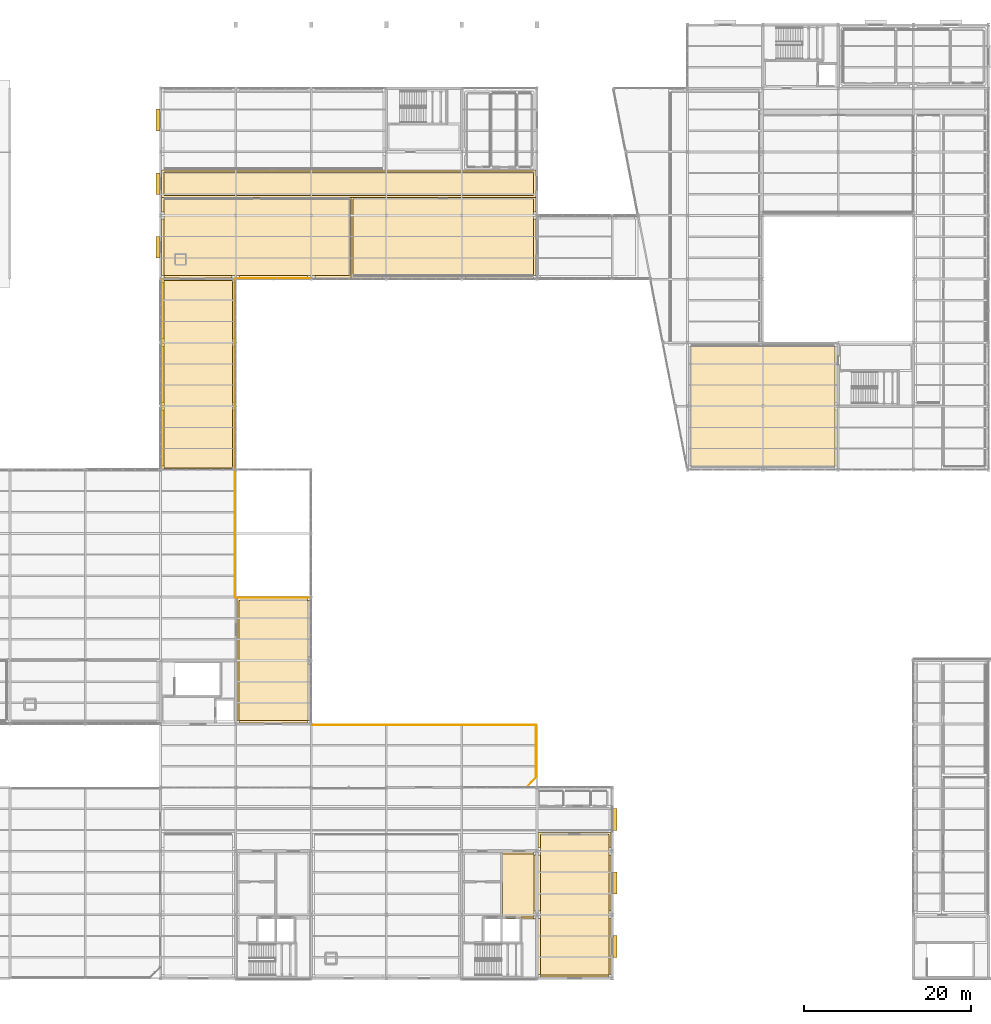
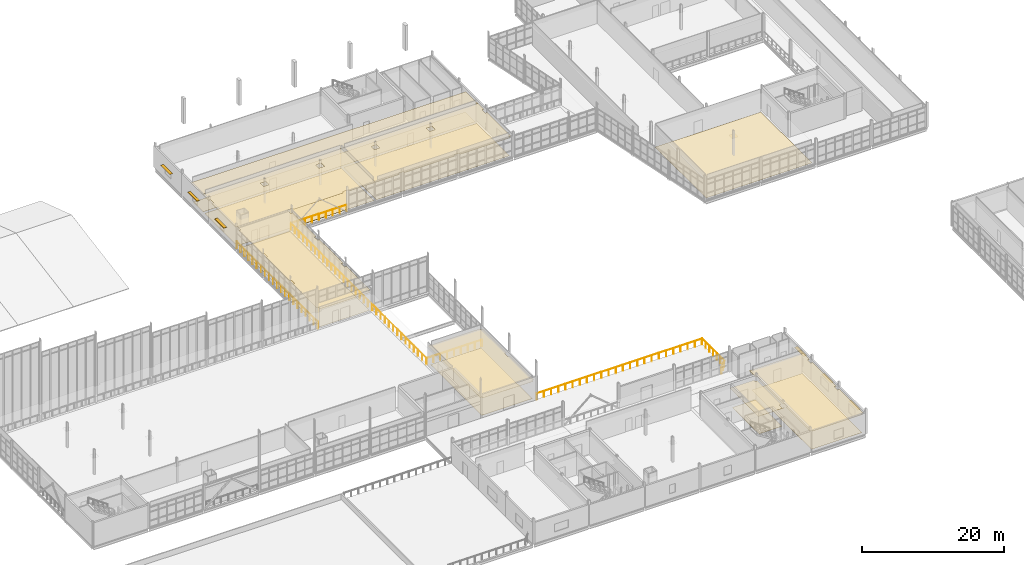
# One storey, part 163 of 166: 15 coverings, 6 shading devices, 5 railings.
"""IFC4 building model written with IfcOpenShell, lengths in metres."""

from ifc_helpers import new_model, si_unit, direction, frame, origin, origin_2d, place, context, subcontext, project, spatial, polyline, rectangle, circle, outline, extrude, material, layer, layer_set, type_object, element, save


model = new_model("IFC4")

# Units and contexts
model_context = context("Model", 3, precision=1e-05, world=origin(), true_north=direction((0.0, 1.0)))
body_context = subcontext(model_context, "Body", "Model", "MODEL_VIEW")
ifc_project = project(units=[si_unit("LENGTHUNIT", "METRE"), si_unit("AREAUNIT", "SQUARE_METRE"), si_unit("VOLUMEUNIT", "CUBIC_METRE"), si_unit("PLANEANGLEUNIT", "RADIAN"), si_unit("MASSUNIT", "GRAM", prefix="KILO")], contexts=[model_context])

# Site, building, storey
site_placement = place(None, origin())
site = spatial("IfcSite", under=ifc_project, at=site_placement, CompositionType="ELEMENT")
building_placement = place(site_placement, origin())
building = spatial("IfcBuilding", under=site, at=building_placement, Name="Caisbarro Railhouse Central Library", CompositionType="ELEMENT")
storey_placement = place(building_placement, frame((0.0, 0.0, 9.360107421875)))
storey = spatial("IfcBuildingStorey", under=building, at=storey_placement, Name="L02", CompositionType="ELEMENT", Elevation=9.360107421875)

# Coverings
ifc_material_1 = material(Name="Perforated mineral-fibre acoustic ceiling tile")
ifc_layer_1 = layer(ifc_material_1, 0.01806640625, Name="Perforated mineral-fibre acoustic ceiling tile")
ifc_layer_set_1 = layer_set([ifc_layer_1], Name="Perforated mineral-fibre acoustic ceiling tile")
covering_type_1 = type_object("IfcCoveringType", Name="COV-CL01", PredefinedType="CEILING", material=ifc_layer_set_1)
covering_1_placement = place(storey_placement, frame((0.0, 0.0, 3.25)))
element("IfcCovering", 1, at=covering_1_placement, inside=storey, type_object=covering_type_1, Name="CL01 acoustic ceiling Lift Lobby K2", PredefinedType="CEILING", context=body_context, shape_type="SweptSolid", body=[
    extrude(outline(polyline([(98.56005859375, 15.110107421875), (98.56005859375, 14.760009765625), (98.909912109375, 14.760009765625), (98.909912109375, 8.0400390625), (98.56005859375, 8.0400390625), (98.56005859375, 7.159912109375), (98.909912109375, 7.159912109375), (98.909912109375, 7.090087890625), (94.639892578125, 7.090087890625), (94.639892578125, 15.110107421875), (98.56005859375, 15.110107421875)])), origin(), (0.0, 0.0, 1.0), 0.017822265625),
])
covering_2_placement = place(storey_placement, frame((0.0, 0.0, 3.25)))
element("IfcCovering", 2, at=covering_2_placement, inside=storey, type_object=covering_type_1, Name="CL01 acoustic ceiling Patent and Standards Archive", PredefinedType="CEILING", context=body_context, shape_type="SweptSolid", body=[
    extrude(outline(polyline([(99.139892578125, 0.43994140625), (99.139892578125, 7.159912109375), (99.43994140625, 7.159912109375), (99.43994140625, 8.0400390625), (99.139892578125, 8.0400390625), (99.139892578125, 14.760009765625), (99.43994140625, 14.760009765625), (99.43994140625, 15.639892578125), (99.139892578125, 15.639892578125), (99.139892578125, 17.4599609375), (107.860107421875, 17.4599609375), (107.860107421875, 15.639892578125), (107.56005859375, 15.639892578125), (107.56005859375, 14.760009765625), (107.860107421875, 14.760009765625), (107.860107421875, 8.0400390625), (107.56005859375, 8.0400390625), (107.56005859375, 7.159912109375), (107.860107421875, 7.159912109375), (107.860107421875, 0.43994140625), (107.56005859375, 0.43994140625), (107.56005859375, 0.139892578125), (99.43994140625, 0.139892578125), (99.43994140625, 0.43994140625), (99.139892578125, 0.43994140625)])), origin(), (0.0, 0.0, 1.0), 0.017822265625),
])
covering_3_placement = place(storey_placement, frame((0.0, 0.0, 3.25)))
element("IfcCovering", 3, at=covering_3_placement, inside=storey, type_object=covering_type_1, Name="CL01 acoustic ceiling Community Learning Corridor L02", PredefinedType="CEILING", context=body_context, shape_type="SweptSolid", body=[
    extrude(outline(polyline([(54.139892578125, 93.340087890625), (54.139892578125, 96.659912109375), (98.860107421875, 96.659912109375), (98.860107421875, 93.340087890625), (54.139892578125, 93.340087890625)])), origin(), (0.0, 0.0, 1.0), 0.017822265625),
])
covering_4_placement = place(storey_placement, frame((0.0, 0.0, 3.25)))
element("IfcCovering", 4, at=covering_4_placement, inside=storey, type_object=covering_type_1, Name="CL01 acoustic ceiling Language Learning Classroom", PredefinedType="CEILING", context=body_context, shape_type="SweptSolid", body=[
    extrude(outline(polyline([(62.56005859375, 84.0400390625), (62.56005859375, 83.739990234375), (54.43994140625, 83.739990234375), (54.43994140625, 84.0400390625), (54.139892578125, 84.0400390625), (54.139892578125, 90.760009765625), (54.43994140625, 90.760009765625), (54.43994140625, 91.639892578125), (54.139892578125, 91.639892578125), (54.139892578125, 93.4599609375), (76.860107421875, 93.4599609375), (76.860107421875, 83.739990234375), (72.43994140625, 83.739990234375), (72.43994140625, 84.0400390625), (71.56005859375, 84.0400390625), (71.56005859375, 83.739990234375), (63.43994140625, 83.739990234375), (63.43994140625, 84.0400390625), (62.56005859375, 84.0400390625)]), holes=[polyline([(62.56005859375, 90.760009765625), (63.43994140625, 90.760009765625), (63.43994140625, 91.639892578125), (62.56005859375, 91.639892578125), (62.56005859375, 90.760009765625)]), polyline([(72.43994140625, 91.639892578125), (71.56005859375, 91.639892578125), (71.56005859375, 90.760009765625), (72.43994140625, 90.760009765625), (72.43994140625, 91.639892578125)])]), origin(), (0.0, 0.0, 1.0), 0.017822265625),
])
covering_5_placement = place(storey_placement, frame((0.0, 0.0, 3.25)))
element("IfcCovering", 5, at=covering_5_placement, inside=storey, type_object=covering_type_1, Name="CL01 acoustic ceiling Digital Humanities Lab", PredefinedType="CEILING", context=body_context, shape_type="SweptSolid", body=[
    extrude(outline(polyline([(89.56005859375, 84.0400390625), (89.56005859375, 83.739990234375), (81.43994140625, 83.739990234375), (81.43994140625, 84.0400390625), (80.56005859375, 84.0400390625), (80.56005859375, 83.739990234375), (76.739990234375, 83.739990234375), (76.739990234375, 93.4599609375), (98.860107421875, 93.4599609375), (98.860107421875, 91.639892578125), (98.56005859375, 91.639892578125), (98.56005859375, 90.760009765625), (98.860107421875, 90.760009765625), (98.860107421875, 84.0400390625), (98.56005859375, 84.0400390625), (98.56005859375, 83.739990234375), (90.43994140625, 83.739990234375), (90.43994140625, 84.0400390625), (89.56005859375, 84.0400390625)]), holes=[polyline([(81.43994140625, 91.639892578125), (80.56005859375, 91.639892578125), (80.56005859375, 90.760009765625), (81.43994140625, 90.760009765625), (81.43994140625, 91.639892578125)]), polyline([(89.56005859375, 90.760009765625), (90.43994140625, 90.760009765625), (90.43994140625, 91.639892578125), (89.56005859375, 91.639892578125), (89.56005859375, 90.760009765625)])]), origin(), (0.0, 0.0, 1.0), 0.017822265625),
])
ifc_material_2 = material(Name="Slatted acoustic timber baffle ceiling", Category="wood")
ifc_layer_2 = layer(ifc_material_2, 0.031982421875, Name="Slatted acoustic timber baffle ceiling")
ifc_layer_set_2 = layer_set([ifc_layer_2], Name="Slatted acoustic timber baffle ceiling")
covering_type_2 = type_object("IfcCoveringType", Name="COV-CL02", PredefinedType="CEILING", material=ifc_layer_set_2)
covering_6_placement = place(storey_placement, frame((0.0, 0.0, 3.119873046875)))
element("IfcCovering", 6, at=covering_6_placement, inside=storey, type_object=covering_type_2, Name="CL02 acoustic ceiling East Reading Belvedere", PredefinedType="CEILING", context=body_context, shape_type="SweptSolid", body=[
    extrude(outline(polyline([(71.56005859375, 38.43994140625), (71.56005859375, 37.56005859375), (71.860107421875, 37.56005859375), (71.860107421875, 30.840087890625), (71.56005859375, 30.840087890625), (71.56005859375, 30.5400390625), (63.43994140625, 30.5400390625), (63.43994140625, 30.840087890625), (63.139892578125, 30.840087890625), (63.139892578125, 45.4599609375), (71.56005859375, 45.4599609375), (71.56005859375, 45.159912109375), (71.860107421875, 45.159912109375), (71.860107421875, 38.43994140625), (71.56005859375, 38.43994140625)])), origin(), (0.0, 0.0, 1.0), 0.031982421875),
])
covering_7_placement = place(storey_placement, frame((0.0, 0.0, 3.25)))
element("IfcCovering", 7, at=covering_7_placement, inside=storey, type_object=covering_type_2, Name="CL02 acoustic ceiling Courtyard Reading Bridge West L02", PredefinedType="CEILING", context=body_context, shape_type="SweptSolid", body=[
    extrude(outline(polyline([(54.43994140625, 67.9599609375), (54.43994140625, 68.840087890625), (54.139892578125, 68.840087890625), (54.139892578125, 75.56005859375), (54.43994140625, 75.56005859375), (54.43994140625, 76.43994140625), (54.139892578125, 76.43994140625), (54.139892578125, 83.159912109375), (54.43994140625, 83.159912109375), (54.43994140625, 83.659912109375), (62.56005859375, 83.659912109375), (62.56005859375, 83.159912109375), (62.860107421875, 83.159912109375), (62.860107421875, 76.43994140625), (62.56005859375, 76.43994140625), (62.56005859375, 75.56005859375), (62.860107421875, 75.56005859375), (62.860107421875, 68.840087890625), (62.56005859375, 68.840087890625), (62.56005859375, 67.9599609375), (62.860107421875, 67.9599609375), (62.860107421875, 61.239990234375), (62.56005859375, 61.239990234375), (62.56005859375, 60.739990234375), (54.43994140625, 60.739990234375), (54.43994140625, 61.239990234375), (54.139892578125, 61.239990234375), (54.139892578125, 67.9599609375), (54.43994140625, 67.9599609375)])), origin(), (0.0, 0.0, 1.0), 0.031982421875),
])
ifc_material_3 = material(Name="Polished cementitious terrazzo flooring")
ifc_layer_3 = layer(ifc_material_3, 0.02197265625, Name="Polished cementitious terrazzo flooring")
ifc_layer_set_3 = layer_set([ifc_layer_3], Name="Polished cementitious terrazzo flooring")
covering_type_3 = type_object("IfcCoveringType", Name="COV-FL01", PredefinedType="FLOORING", material=ifc_layer_set_3)
covering_8_placement = place(storey_placement, origin())
element("IfcCovering", 8, at=covering_8_placement, inside=storey, type_object=covering_type_3, Name="FL01 flooring Lift Lobby K2", PredefinedType="FLOORING", context=body_context, shape_type="SweptSolid", body=[
    extrude(outline(polyline([(94.89990234375, 7.35009765625), (98.64990234375, 7.35009765625), (98.64990234375, 14.85009765625), (94.89990234375, 14.85009765625), (94.89990234375, 7.35009765625)])), origin(), (0.0, 0.0, 1.0), 0.02197265625),
])
covering_9_placement = place(storey_placement, origin())
element("IfcCovering", 9, at=covering_9_placement, inside=storey, type_object=covering_type_3, Name="FL01 flooring Community Learning Corridor L02", PredefinedType="FLOORING", context=body_context, shape_type="SweptSolid", body=[
    extrude(outline(polyline([(54.39990234375, 93.60009765625), (98.60009765625, 93.60009765625), (98.60009765625, 96.39990234375), (54.39990234375, 96.39990234375), (54.39990234375, 93.60009765625)])), origin(), (0.0, 0.0, 1.0), 0.02197265625),
])
ifc_material_4 = material(Name="Heavy-duty acoustic linoleum flooring")
ifc_layer_4 = layer(ifc_material_4, 0.011962890625, Name="Heavy-duty acoustic linoleum flooring")
ifc_layer_set_4 = layer_set([ifc_layer_4], Name="Heavy-duty acoustic linoleum flooring")
covering_type_4 = type_object("IfcCoveringType", Name="COV-FL02", PredefinedType="FLOORING", material=ifc_layer_set_4)
covering_10_placement = place(storey_placement, origin())
element("IfcCovering", 10, at=covering_10_placement, inside=storey, type_object=covering_type_4, Name="FL02 flooring East Reading Belvedere", PredefinedType="FLOORING", context=body_context, shape_type="SweptSolid", body=[
    extrude(outline(polyline([(63.39990234375, 30.800048828125), (71.60009765625, 30.800048828125), (71.60009765625, 45.199951171875), (63.39990234375, 45.199951171875), (63.39990234375, 30.800048828125)])), origin(), (0.0, 0.0, 1.0), 0.011962890625),
])
covering_11_placement = place(storey_placement, origin())
element("IfcCovering", 11, at=covering_11_placement, inside=storey, type_object=covering_type_4, Name="FL02 flooring Patent and Standards Archive", PredefinedType="FLOORING", context=body_context, shape_type="SweptSolid", body=[
    extrude(outline(polyline([(99.39990234375, 0.39990234375), (107.60009765625, 0.39990234375), (107.60009765625, 17.199951171875), (99.39990234375, 17.199951171875), (99.39990234375, 0.39990234375)])), origin(), (0.0, 0.0, 1.0), 0.011962890625),
])
covering_12_placement = place(storey_placement, origin())
element("IfcCovering", 12, at=covering_12_placement, inside=storey, type_object=covering_type_4, Name="FL02 flooring Courtyard Reading Bridge West L02", PredefinedType="FLOORING", context=body_context, shape_type="SweptSolid", body=[
    extrude(outline(polyline([(54.39990234375, 61.0), (62.60009765625, 61.0), (62.60009765625, 83.39990234375), (54.39990234375, 83.39990234375), (54.39990234375, 61.0)])), origin(), (0.0, 0.0, 1.0), 0.011962890625),
])
covering_13_placement = place(storey_placement, origin())
element("IfcCovering", 13, at=covering_13_placement, inside=storey, type_object=covering_type_4, Name="FL02 flooring Language Learning Classroom", PredefinedType="FLOORING", context=body_context, shape_type="SweptSolid", body=[
    extrude(outline(polyline([(54.39990234375, 84.0), (76.60009765625, 84.0), (76.60009765625, 93.199951171875), (54.39990234375, 93.199951171875), (54.39990234375, 84.0)])), origin(), (0.0, 0.0, 1.0), 0.011962890625),
])
covering_14_placement = place(storey_placement, origin())
element("IfcCovering", 14, at=covering_14_placement, inside=storey, type_object=covering_type_4, Name="FL02 flooring Digital Humanities Lab", PredefinedType="FLOORING", context=body_context, shape_type="SweptSolid", body=[
    extrude(outline(polyline([(77.0, 84.0), (98.60009765625, 84.0), (98.60009765625, 93.199951171875), (77.0, 93.199951171875), (77.0, 84.0)])), origin(), (0.0, 0.0, 1.0), 0.011962890625),
])
covering_15_placement = place(storey_placement, origin())
element("IfcCovering", 15, at=covering_15_placement, inside=storey, type_object=covering_type_4, Name="FL02 flooring Music and Fine-Arts Reading Room", PredefinedType="FLOORING", context=body_context, shape_type="SweptSolid", body=[
    extrude(outline(polyline([(117.39990234375, 61.199951171875), (134.60009765625, 61.199951171875), (134.60009765625, 75.60009765625), (117.39990234375, 75.60009765625), (117.39990234375, 61.199951171875)])), origin(), (0.0, 0.0, 1.0), 0.011962890625),
])

# Railings
ifc_material_5 = material(Name="Laminated safety glass balustrade with stainless top rail", Category="glass")
railing_type_1 = type_object("IfcRailingType", Name="RLG-ATR112", PredefinedType="GUARDRAIL", material=ifc_material_5)
railing_1_placement = place(storey_placement, frame((62.89990234375, 60.699951171875, 0.0)))
element("IfcRailing", 16, at=railing_1_placement, inside=storey, type_object=railing_type_1, Name="RG02 Interior Void Balustrade L02-07", PredefinedType="GUARDRAIL", context=body_context, shape_type="SweptSolid", body=[
    extrude(circle(Radius=0.02392578125, at=origin_2d()), frame((0.0, 0.0, 1.09619140625), z_axis=(0.0, -1.0, 0.0), x_axis=(1.0, 0.0, 0.0)), (0.0, 0.0, 1.0), 15.199951171875),
    extrude(circle(Radius=0.02392578125, at=origin_2d()), frame((0.0, -15.199951171875, 1.09619140625), z_axis=(1.0, 0.0, 0.0), x_axis=(0.0, 1.0, 0.0)), (0.0, 0.0, 1.0), 9.0),
    extrude(circle(Radius=0.02099609375, at=origin_2d()), origin(), (0.0, 0.0, 1.0), 1.072021484375),
    extrude(circle(Radius=0.02099609375, at=origin_2d()), frame((0.0, -1.169189453125, 0.0)), (0.0, 0.0, 1.0), 1.072021484375),
    extrude(circle(Radius=0.02099609375, at=origin_2d()), frame((0.0, -2.33837890625, 0.0)), (0.0, 0.0, 1.0), 1.072021484375),
    extrude(circle(Radius=0.02099609375, at=origin_2d()), frame((0.0, -3.507568359375, 0.0)), (0.0, 0.0, 1.0), 1.072021484375),
    extrude(circle(Radius=0.02099609375, at=origin_2d()), frame((0.0, -4.677001953125, 0.0)), (0.0, 0.0, 1.0), 1.072021484375),
    extrude(circle(Radius=0.02099609375, at=origin_2d()), frame((0.0, -5.84619140625, 0.0)), (0.0, 0.0, 1.0), 1.072021484375),
    extrude(circle(Radius=0.02099609375, at=origin_2d()), frame((0.0, -7.015380859375, 0.0)), (0.0, 0.0, 1.0), 1.072021484375),
    extrude(circle(Radius=0.02099609375, at=origin_2d()), frame((0.0, -8.1845703125, 0.0)), (0.0, 0.0, 1.0), 1.072021484375),
    extrude(circle(Radius=0.02099609375, at=origin_2d()), frame((0.0, -9.353759765625, 0.0)), (0.0, 0.0, 1.0), 1.072021484375),
    extrude(circle(Radius=0.02099609375, at=origin_2d()), frame((0.0, -10.52294921875, 0.0)), (0.0, 0.0, 1.0), 1.072021484375),
    extrude(circle(Radius=0.02099609375, at=origin_2d()), frame((0.0, -11.6923828125, 0.0)), (0.0, 0.0, 1.0), 1.072021484375),
    extrude(circle(Radius=0.02099609375, at=origin_2d()), frame((0.0, -12.861572265625, 0.0)), (0.0, 0.0, 1.0), 1.072021484375),
    extrude(circle(Radius=0.02099609375, at=origin_2d()), frame((0.0, -14.03076171875, 0.0)), (0.0, 0.0, 1.0), 1.072021484375),
    extrude(circle(Radius=0.02099609375, at=origin_2d()), frame((0.0, -15.199951171875, 0.0)), (0.0, 0.0, 1.0), 1.072021484375),
    extrude(circle(Radius=0.02099609375, at=origin_2d()), frame((1.125, -15.199951171875, 0.0)), (0.0, 0.0, 1.0), 1.072021484375),
    extrude(circle(Radius=0.02099609375, at=origin_2d()), frame((2.25, -15.199951171875, 0.0)), (0.0, 0.0, 1.0), 1.072021484375),
    extrude(circle(Radius=0.02099609375, at=origin_2d()), frame((3.375, -15.199951171875, 0.0)), (0.0, 0.0, 1.0), 1.072021484375),
    extrude(circle(Radius=0.02099609375, at=origin_2d()), frame((4.5, -15.199951171875, 0.0)), (0.0, 0.0, 1.0), 1.072021484375),
    extrude(circle(Radius=0.02099609375, at=origin_2d()), frame((5.625, -15.199951171875, 0.0)), (0.0, 0.0, 1.0), 1.072021484375),
    extrude(circle(Radius=0.02099609375, at=origin_2d()), frame((6.75, -15.199951171875, 0.0)), (0.0, 0.0, 1.0), 1.072021484375),
    extrude(circle(Radius=0.02099609375, at=origin_2d()), frame((7.875, -15.199951171875, 0.0)), (0.0, 0.0, 1.0), 1.072021484375),
    extrude(circle(Radius=0.02099609375, at=origin_2d()), frame((9.0, -15.199951171875, 0.0)), (0.0, 0.0, 1.0), 1.072021484375),
])
railing_2_placement = place(storey_placement, frame((54.10009765625, 60.800048828125, 0.0)))
element("IfcRailing", 17, at=railing_2_placement, inside=storey, type_object=railing_type_1, Name="RG02 Interior Void Balustrade L02-18", PredefinedType="GUARDRAIL", context=body_context, shape_type="SweptSolid", body=[
    extrude(circle(Radius=0.02392578125, at=origin_2d()), frame((0.0, 0.0, 1.09619140625), z_axis=(0.0, 1.0, 0.0), x_axis=(-1.0, 0.0, 0.0)), (0.0, 0.0, 1.0), 22.800048828125),
    extrude(circle(Radius=0.02099609375, at=origin_2d()), origin(), (0.0, 0.0, 1.0), 1.072021484375),
    extrude(circle(Radius=0.02099609375, at=origin_2d()), frame((0.0, 1.139892578125, 0.0)), (0.0, 0.0, 1.0), 1.072021484375),
    extrude(circle(Radius=0.02099609375, at=origin_2d()), frame((0.0, 2.280029296875, 0.0)), (0.0, 0.0, 1.0), 1.072021484375),
    extrude(circle(Radius=0.02099609375, at=origin_2d()), frame((0.0, 3.419921875, 0.0)), (0.0, 0.0, 1.0), 1.072021484375),
    extrude(circle(Radius=0.02099609375, at=origin_2d()), frame((0.0, 4.56005859375, 0.0)), (0.0, 0.0, 1.0), 1.072021484375),
    extrude(circle(Radius=0.02099609375, at=origin_2d()), frame((0.0, 5.699951171875, 0.0)), (0.0, 0.0, 1.0), 1.072021484375),
    extrude(circle(Radius=0.02099609375, at=origin_2d()), frame((0.0, 6.840087890625, 0.0)), (0.0, 0.0, 1.0), 1.072021484375),
    extrude(circle(Radius=0.02099609375, at=origin_2d()), frame((0.0, 7.97998046875, 0.0)), (0.0, 0.0, 1.0), 1.072021484375),
    extrude(circle(Radius=0.02099609375, at=origin_2d()), frame((0.0, 9.1201171875, 0.0)), (0.0, 0.0, 1.0), 1.072021484375),
    extrude(circle(Radius=0.02099609375, at=origin_2d()), frame((0.0, 10.260009765625, 0.0)), (0.0, 0.0, 1.0), 1.072021484375),
    extrude(circle(Radius=0.02099609375, at=origin_2d()), frame((0.0, 11.39990234375, 0.0)), (0.0, 0.0, 1.0), 1.072021484375),
    extrude(circle(Radius=0.02099609375, at=origin_2d()), frame((0.0, 12.5400390625, 0.0)), (0.0, 0.0, 1.0), 1.072021484375),
    extrude(circle(Radius=0.02099609375, at=origin_2d()), frame((0.0, 13.679931640625, 0.0)), (0.0, 0.0, 1.0), 1.072021484375),
    extrude(circle(Radius=0.02099609375, at=origin_2d()), frame((0.0, 14.820068359375, 0.0)), (0.0, 0.0, 1.0), 1.072021484375),
    extrude(circle(Radius=0.02099609375, at=origin_2d()), frame((0.0, 15.9599609375, 0.0)), (0.0, 0.0, 1.0), 1.072021484375),
    extrude(circle(Radius=0.02099609375, at=origin_2d()), frame((0.0, 17.10009765625, 0.0)), (0.0, 0.0, 1.0), 1.072021484375),
    extrude(circle(Radius=0.02099609375, at=origin_2d()), frame((0.0, 18.239990234375, 0.0)), (0.0, 0.0, 1.0), 1.072021484375),
    extrude(circle(Radius=0.02099609375, at=origin_2d()), frame((0.0, 19.380126953125, 0.0)), (0.0, 0.0, 1.0), 1.072021484375),
    extrude(circle(Radius=0.02099609375, at=origin_2d()), frame((0.0, 20.52001953125, 0.0)), (0.0, 0.0, 1.0), 1.072021484375),
    extrude(circle(Radius=0.02099609375, at=origin_2d()), frame((0.0, 21.66015625, 0.0)), (0.0, 0.0, 1.0), 1.072021484375),
    extrude(circle(Radius=0.02099609375, at=origin_2d()), frame((0.0, 22.800048828125, 0.0)), (0.0, 0.0, 1.0), 1.072021484375),
])
railing_3_placement = place(storey_placement, frame((62.89990234375, 60.800048828125, 0.0)))
element("IfcRailing", 18, at=railing_3_placement, inside=storey, type_object=railing_type_1, Name="RG02 Interior Void Balustrade L02-19", PredefinedType="GUARDRAIL", context=body_context, shape_type="SweptSolid", body=[
    extrude(circle(Radius=0.02392578125, at=origin_2d()), frame((0.0, 0.0, 1.09619140625), z_axis=(0.0, 1.0, 0.0), x_axis=(-1.0, 0.0, 0.0)), (0.0, 0.0, 1.0), 22.800048828125),
    extrude(circle(Radius=0.02099609375, at=origin_2d()), origin(), (0.0, 0.0, 1.0), 1.072021484375),
    extrude(circle(Radius=0.02099609375, at=origin_2d()), frame((0.0, 1.139892578125, 0.0)), (0.0, 0.0, 1.0), 1.072021484375),
    extrude(circle(Radius=0.02099609375, at=origin_2d()), frame((0.0, 2.280029296875, 0.0)), (0.0, 0.0, 1.0), 1.072021484375),
    extrude(circle(Radius=0.02099609375, at=origin_2d()), frame((0.0, 3.419921875, 0.0)), (0.0, 0.0, 1.0), 1.072021484375),
    extrude(circle(Radius=0.02099609375, at=origin_2d()), frame((0.0, 4.56005859375, 0.0)), (0.0, 0.0, 1.0), 1.072021484375),
    extrude(circle(Radius=0.02099609375, at=origin_2d()), frame((0.0, 5.699951171875, 0.0)), (0.0, 0.0, 1.0), 1.072021484375),
    extrude(circle(Radius=0.02099609375, at=origin_2d()), frame((0.0, 6.840087890625, 0.0)), (0.0, 0.0, 1.0), 1.072021484375),
    extrude(circle(Radius=0.02099609375, at=origin_2d()), frame((0.0, 7.97998046875, 0.0)), (0.0, 0.0, 1.0), 1.072021484375),
    extrude(circle(Radius=0.02099609375, at=origin_2d()), frame((0.0, 9.1201171875, 0.0)), (0.0, 0.0, 1.0), 1.072021484375),
    extrude(circle(Radius=0.02099609375, at=origin_2d()), frame((0.0, 10.260009765625, 0.0)), (0.0, 0.0, 1.0), 1.072021484375),
    extrude(circle(Radius=0.02099609375, at=origin_2d()), frame((0.0, 11.39990234375, 0.0)), (0.0, 0.0, 1.0), 1.072021484375),
    extrude(circle(Radius=0.02099609375, at=origin_2d()), frame((0.0, 12.5400390625, 0.0)), (0.0, 0.0, 1.0), 1.072021484375),
    extrude(circle(Radius=0.02099609375, at=origin_2d()), frame((0.0, 13.679931640625, 0.0)), (0.0, 0.0, 1.0), 1.072021484375),
    extrude(circle(Radius=0.02099609375, at=origin_2d()), frame((0.0, 14.820068359375, 0.0)), (0.0, 0.0, 1.0), 1.072021484375),
    extrude(circle(Radius=0.02099609375, at=origin_2d()), frame((0.0, 15.9599609375, 0.0)), (0.0, 0.0, 1.0), 1.072021484375),
    extrude(circle(Radius=0.02099609375, at=origin_2d()), frame((0.0, 17.10009765625, 0.0)), (0.0, 0.0, 1.0), 1.072021484375),
    extrude(circle(Radius=0.02099609375, at=origin_2d()), frame((0.0, 18.239990234375, 0.0)), (0.0, 0.0, 1.0), 1.072021484375),
    extrude(circle(Radius=0.02099609375, at=origin_2d()), frame((0.0, 19.380126953125, 0.0)), (0.0, 0.0, 1.0), 1.072021484375),
    extrude(circle(Radius=0.02099609375, at=origin_2d()), frame((0.0, 20.52001953125, 0.0)), (0.0, 0.0, 1.0), 1.072021484375),
    extrude(circle(Radius=0.02099609375, at=origin_2d()), frame((0.0, 21.66015625, 0.0)), (0.0, 0.0, 1.0), 1.072021484375),
    extrude(circle(Radius=0.02099609375, at=origin_2d()), frame((0.0, 22.800048828125, 0.0)), (0.0, 0.0, 1.0), 1.072021484375),
])
railing_4_placement = place(storey_placement, frame((63.0, 83.699951171875, 0.0)))
element("IfcRailing", 19, at=railing_4_placement, inside=storey, type_object=railing_type_1, Name="RG02 Interior Void Balustrade L02-35", PredefinedType="GUARDRAIL", context=body_context, shape_type="SweptSolid", body=[
    extrude(circle(Radius=0.02392578125, at=origin_2d()), frame((0.0, 0.0, 1.09619140625), z_axis=(1.0, 0.0, 0.0), x_axis=(0.0, 1.0, 0.0)), (0.0, 0.0, 1.0), 9.0),
    extrude(circle(Radius=0.02099609375, at=origin_2d()), origin(), (0.0, 0.0, 1.0), 1.072021484375),
    extrude(circle(Radius=0.02099609375, at=origin_2d()), frame((1.125, 0.0, 0.0)), (0.0, 0.0, 1.0), 1.072021484375),
    extrude(circle(Radius=0.02099609375, at=origin_2d()), frame((2.25, 0.0, 0.0)), (0.0, 0.0, 1.0), 1.072021484375),
    extrude(circle(Radius=0.02099609375, at=origin_2d()), frame((3.375, 0.0, 0.0)), (0.0, 0.0, 1.0), 1.072021484375),
    extrude(circle(Radius=0.02099609375, at=origin_2d()), frame((4.5, 0.0, 0.0)), (0.0, 0.0, 1.0), 1.072021484375),
    extrude(circle(Radius=0.02099609375, at=origin_2d()), frame((5.625, 0.0, 0.0)), (0.0, 0.0, 1.0), 1.072021484375),
    extrude(circle(Radius=0.02099609375, at=origin_2d()), frame((6.75, 0.0, 0.0)), (0.0, 0.0, 1.0), 1.072021484375),
    extrude(circle(Radius=0.02099609375, at=origin_2d()), frame((7.875, 0.0, 0.0)), (0.0, 0.0, 1.0), 1.072021484375),
    extrude(circle(Radius=0.02099609375, at=origin_2d()), frame((9.0, 0.0, 0.0)), (0.0, 0.0, 1.0), 1.072021484375),
])
ifc_material_6 = material(Name="Brushed stainless steel Grade 316", Category="steel")
railing_type_2 = type_object("IfcRailingType", Name="RLG-EXT110", PredefinedType="GUARDRAIL", material=ifc_material_6)
railing_5_placement = place(storey_placement, frame((72.050048828125, 30.300048828125, 0.0)))
element("IfcRailing", 20, at=railing_5_placement, inside=storey, type_object=railing_type_2, Name="RG01 Terrace Guardrail TR-L02-C", PredefinedType="GUARDRAIL", context=body_context, shape_type="SweptSolid", body=[
    extrude(circle(Radius=0.02392578125, at=origin_2d()), frame((0.0, 0.0, 1.076171875), z_axis=(1.0, 0.0, 0.0), x_axis=(0.0, 1.0, 0.0)), (0.0, 0.0, 1.0), 26.849853515625),
    extrude(circle(Radius=0.02392578125, at=origin_2d()), frame((26.849853515625, 0.0, 1.076171875), z_axis=(0.0, -1.0, 0.0), x_axis=(1.0, 0.0, 0.0)), (0.0, 0.0, 1.0), 6.25),
    extrude(circle(Radius=0.02392578125, at=origin_2d()), frame((26.849853515625, -6.25, 1.076171875), z_axis=(-0.691889410347, -0.722003492963, 0.0), x_axis=(0.722003492963, -0.691889410347, 0.0)), (0.0, 0.0, 1.0), 1.661865234375),
    extrude(circle(Radius=0.02099609375, at=origin_2d()), origin(), (0.0, 0.0, 1.0), 1.052001953125),
    extrude(circle(Radius=0.02099609375, at=origin_2d()), frame((1.16748046875, 0.0, 0.0)), (0.0, 0.0, 1.0), 1.052001953125),
    extrude(circle(Radius=0.02099609375, at=origin_2d()), frame((2.334716796875, 0.0, 0.0)), (0.0, 0.0, 1.0), 1.052001953125),
    extrude(circle(Radius=0.02099609375, at=origin_2d()), frame((3.502197265625, 0.0, 0.0)), (0.0, 0.0, 1.0), 1.052001953125),
    extrude(circle(Radius=0.02099609375, at=origin_2d()), frame((4.66943359375, 0.0, 0.0)), (0.0, 0.0, 1.0), 1.052001953125),
    extrude(circle(Radius=0.02099609375, at=origin_2d()), frame((5.8369140625, 0.0, 0.0)), (0.0, 0.0, 1.0), 1.052001953125),
    extrude(circle(Radius=0.02099609375, at=origin_2d()), frame((7.00439453125, 0.0, 0.0)), (0.0, 0.0, 1.0), 1.052001953125),
    extrude(circle(Radius=0.02099609375, at=origin_2d()), frame((8.171630859375, 0.0, 0.0)), (0.0, 0.0, 1.0), 1.052001953125),
    extrude(circle(Radius=0.02099609375, at=origin_2d()), frame((9.339111328125, 0.0, 0.0)), (0.0, 0.0, 1.0), 1.052001953125),
    extrude(circle(Radius=0.02099609375, at=origin_2d()), frame((10.50634765625, 0.0, 0.0)), (0.0, 0.0, 1.0), 1.052001953125),
    extrude(circle(Radius=0.02099609375, at=origin_2d()), frame((11.673828125, 0.0, 0.0)), (0.0, 0.0, 1.0), 1.052001953125),
    extrude(circle(Radius=0.02099609375, at=origin_2d()), frame((12.84130859375, 0.0, 0.0)), (0.0, 0.0, 1.0), 1.052001953125),
    extrude(circle(Radius=0.02099609375, at=origin_2d()), frame((14.008544921875, 0.0, 0.0)), (0.0, 0.0, 1.0), 1.052001953125),
    extrude(circle(Radius=0.02099609375, at=origin_2d()), frame((15.176025390625, 0.0, 0.0)), (0.0, 0.0, 1.0), 1.052001953125),
    extrude(circle(Radius=0.02099609375, at=origin_2d()), frame((16.343505859375, 0.0, 0.0)), (0.0, 0.0, 1.0), 1.052001953125),
    extrude(circle(Radius=0.02099609375, at=origin_2d()), frame((17.5107421875, 0.0, 0.0)), (0.0, 0.0, 1.0), 1.052001953125),
    extrude(circle(Radius=0.02099609375, at=origin_2d()), frame((18.67822265625, 0.0, 0.0)), (0.0, 0.0, 1.0), 1.052001953125),
    extrude(circle(Radius=0.02099609375, at=origin_2d()), frame((19.845458984375, 0.0, 0.0)), (0.0, 0.0, 1.0), 1.052001953125),
    extrude(circle(Radius=0.02099609375, at=origin_2d()), frame((21.012939453125, 0.0, 0.0)), (0.0, 0.0, 1.0), 1.052001953125),
    extrude(circle(Radius=0.02099609375, at=origin_2d()), frame((22.180419921875, 0.0, 0.0)), (0.0, 0.0, 1.0), 1.052001953125),
    extrude(circle(Radius=0.02099609375, at=origin_2d()), frame((23.34765625, 0.0, 0.0)), (0.0, 0.0, 1.0), 1.052001953125),
    extrude(circle(Radius=0.02099609375, at=origin_2d()), frame((24.51513671875, 0.0, 0.0)), (0.0, 0.0, 1.0), 1.052001953125),
    extrude(circle(Radius=0.02099609375, at=origin_2d()), frame((25.682373046875, 0.0, 0.0)), (0.0, 0.0, 1.0), 1.052001953125),
    extrude(circle(Radius=0.02099609375, at=origin_2d()), frame((26.849853515625, 0.0, 0.0)), (0.0, 0.0, 1.0), 1.052001953125),
    extrude(circle(Radius=0.02099609375, at=origin_2d()), frame((26.849853515625, -1.041748046875, 0.0)), (0.0, 0.0, 1.0), 1.052001953125),
    extrude(circle(Radius=0.02099609375, at=origin_2d()), frame((26.849853515625, -2.083251953125, 0.0)), (0.0, 0.0, 1.0), 1.052001953125),
    extrude(circle(Radius=0.02099609375, at=origin_2d()), frame((26.849853515625, -3.125, 0.0)), (0.0, 0.0, 1.0), 1.052001953125),
    extrude(circle(Radius=0.02099609375, at=origin_2d()), frame((26.849853515625, -4.166748046875, 0.0)), (0.0, 0.0, 1.0), 1.052001953125),
    extrude(circle(Radius=0.02099609375, at=origin_2d()), frame((26.849853515625, -5.208251953125, 0.0)), (0.0, 0.0, 1.0), 1.052001953125),
    extrude(circle(Radius=0.02099609375, at=origin_2d()), frame((26.849853515625, -6.25, 0.0)), (0.0, 0.0, 1.0), 1.052001953125),
    extrude(circle(Radius=0.02099609375, at=origin_2d()), frame((26.27490234375, -6.85009765625, 0.0)), (0.0, 0.0, 1.0), 1.052001953125),
    extrude(circle(Radius=0.02099609375, at=origin_2d()), frame((25.699951171875, -7.449951171875, 0.0)), (0.0, 0.0, 1.0), 1.052001953125),
])

# Shading devices
ifc_material_7 = material(Name="Anodised architectural aluminium", Category="aluminium")
ifc_layer_5 = layer(ifc_material_7, 0.050048828125, Name="Anodised architectural aluminium")
ifc_layer_set_5 = layer_set([ifc_layer_5], Name="Anodised architectural aluminium")
shading_device_type = type_object("IfcShadingDeviceType", Name="SHD-JAL01", PredefinedType="JALOUSIE", material=ifc_layer_set_5)
for number, where, z_axis, x_axis, name in (
    (21, (108.340087890625, 3.800048828125, 2.384765625), (0.0, 0.0, 1.0), (0.0, 1.0, 0.0), "JL01 solar brise-soleil L02-01"),
    (22, (108.340087890625, 11.39990234375, 2.384765625), (0.0, 0.0, 1.0), (0.0, 1.0, 0.0), "JL01 solar brise-soleil L02-02"),
    (23, (108.340087890625, 19.0, 2.384765625), (0.0, 0.0, 1.0), (0.0, 1.0, 0.0), "JL01 solar brise-soleil L02-03"),
    (24, (53.669921875, 87.39990234375, 2.0849609375), (0.0, 0.0, 1.0), (0.0, 1.0, 0.0), "JL01 solar brise-soleil L02-50"),
    (25, (53.669921875, 95.0, 2.0849609375), (0.0, 0.0, 1.0), (0.0, 1.0, 0.0), "JL01 solar brise-soleil L02-51"),
    (26, (53.669921875, 102.60009765625, 2.0849609375), (0.0, 0.0, 1.0), (0.0, 1.0, 0.0), "JL01 solar brise-soleil L02-52"),
):
    element("IfcShadingDevice", number, at=place(storey_placement, frame(where, z_axis=z_axis, x_axis=x_axis)), inside=storey, type_object=shading_device_type, Name=name, PredefinedType="JALOUSIE", context=body_context, shape_type="SweptSolid", body=[
        extrude(rectangle(XDim=2.60009765625, YDim=0.47998046875, at=origin_2d()), origin(), (0.0, 0.0, 1.0), 0.050048828125),
    ])

save(model, "model.ifc")
